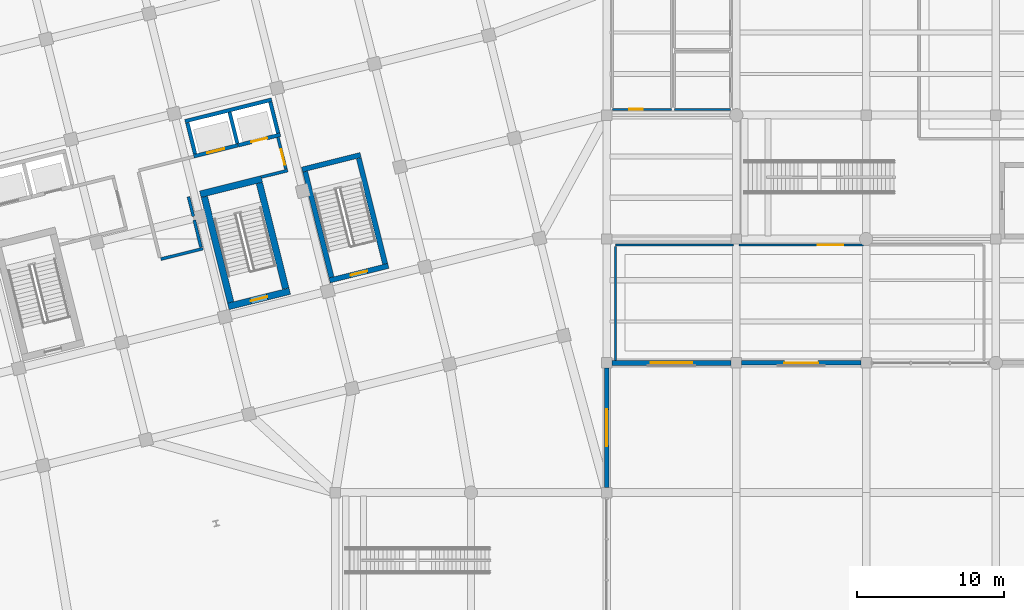
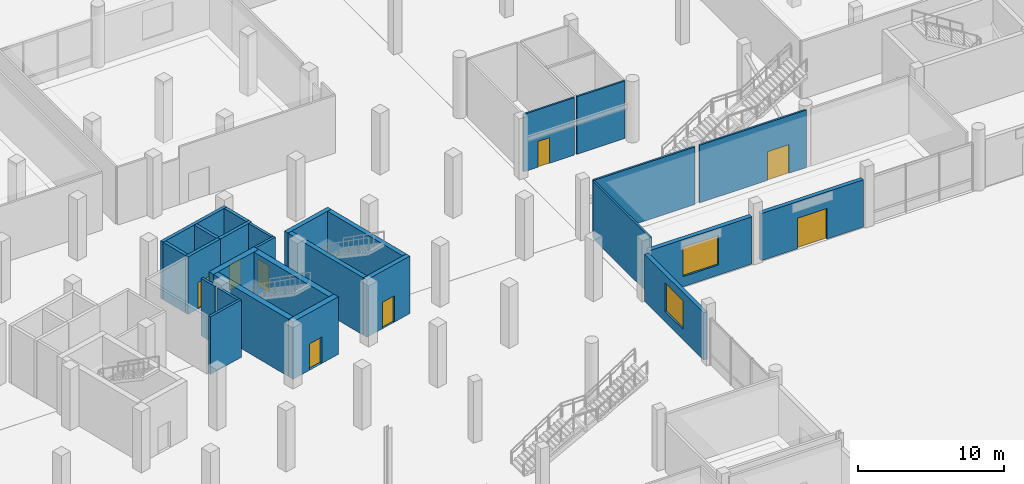
# One storey, part 60 of 73: 27 walls, 8 doors, 2 windows, 10 openings.
"""IFC4 building model written with IfcOpenShell, lengths in metres."""

import ifcopenshell
import ifcopenshell.guid

model = None  # the IFC model being written
_history = None  # IfcOwnerHistory: only IFC2X3 demands one
_inside = {}  # id of a spatial element -> (the spatial element, [elements in it])
_under = {}  # id of a project, library or spatial element -> (it, [spatial elements below it])
_declared = {}  # id of a project -> (the project, [libraries it declares])
_typed = {}  # id of a type object -> (the type object, [elements of that type])
_made_of = {}  # id of a material, layer set ... -> (it, [elements and type objects made of it])


def new_model(schema):
    """Start an empty IFC model of exactly this schema.

    Asked for "IFC4X3", IfcOpenShell would pick the latest addendum, in which some entities
    have other attributes; the version numbers below select the first issue.
    IFC2X3 requires an IfcOwnerHistory on every rooted entity: one is made here for all.
    """
    global model, _history
    if schema == "IFC4X3":
        model = ifcopenshell.file(schema_version=(4, 3, 0, 0))
    else:
        model = ifcopenshell.file(schema=schema)
    _inside.clear()
    _under.clear()
    _declared.clear()
    _typed.clear()
    _made_of.clear()
    _history = None
    if model.schema == "IFC2X3":
        org = make("IfcOrganization", Name="unknown")
        user = make(
            "IfcPersonAndOrganization",
            ThePerson=make("IfcPerson", FamilyName="unknown"),
            TheOrganization=org,
        )
        app = make(
            "IfcApplication",
            ApplicationDeveloper=org,
            Version="unknown",
            ApplicationFullName="unknown",
            ApplicationIdentifier="unknown",
        )
        _history = make(
            "IfcOwnerHistory",
            OwningUser=user,
            OwningApplication=app,
            ChangeAction="ADDED",
            CreationDate=0,
        )
    return model


def make(cls, **values):
    """One entity of the class cls with the attributes given. An attribute that is None is left unset."""
    return model.create_entity(
        cls, **{name: value for name, value in values.items() if value is not None}
    )


def rooted(cls, **values):
    """An entity with a GlobalId (a new one), such as an element, a storey or a relation."""
    return make(cls, GlobalId=ifcopenshell.guid.new(), OwnerHistory=_history, **values)


def si_unit(unit_type, name, prefix=None):
    """IfcSIUnit, for example si_unit("LENGTHUNIT", "METRE", prefix="MILLI")."""
    return make("IfcSIUnit", UnitType=unit_type, Prefix=prefix, Name=name)


def assignment(units):
    """IfcUnitAssignment: the units of a project."""
    return None if units is None else make("IfcUnitAssignment", Units=units)


def point(xyz):
    """IfcCartesianPoint."""
    return None if xyz is None else make("IfcCartesianPoint", Coordinates=xyz)


def direction(xyz):
    """IfcDirection."""
    return None if xyz is None else make("IfcDirection", DirectionRatios=xyz)


def frame(location, z_axis=None, x_axis=None):
    """IfcAxis2Placement3D, a coordinate frame: its origin and axes. An axis left out is left unset."""
    return make(
        "IfcAxis2Placement3D",
        Location=point(location),
        Axis=direction(z_axis),
        RefDirection=direction(x_axis),
    )


def frame_2d(location, x_axis=None):
    """IfcAxis2Placement2D, a coordinate frame in the plane: its origin and x axis."""
    return make(
        "IfcAxis2Placement2D", Location=point(location), RefDirection=direction(x_axis)
    )


def origin():
    """The frame at (0, 0, 0) with its axes left unset."""
    return frame((0.0, 0.0, 0.0))


def place(relative_to, where):
    """IfcLocalPlacement: puts the frame where relative to a parent placement (None: the world)."""
    return make(
        "IfcLocalPlacement", PlacementRelTo=relative_to, RelativePlacement=where
    )


def context(
    kind, dimensions, precision=None, world=None, true_north=None, identifier=None
):
    """IfcGeometricRepresentationContext, for example the 3D "Model" context."""
    return make(
        "IfcGeometricRepresentationContext",
        ContextIdentifier=identifier,
        ContextType=kind,
        CoordinateSpaceDimension=dimensions,
        Precision=precision,
        WorldCoordinateSystem=world,
        TrueNorth=true_north,
    )


def subcontext(parent, identifier, kind, view, scale=None):
    """IfcGeometricRepresentationSubContext, for example "Body" below "Model"."""
    return make(
        "IfcGeometricRepresentationSubContext",
        ContextIdentifier=identifier,
        ContextType=kind,
        ParentContext=parent,
        TargetScale=scale,
        TargetView=view,
    )


def project(units=None, contexts=None):
    """IfcProject with its units and contexts."""
    return rooted(
        "IfcProject",
        Name="project",
        RepresentationContexts=contexts,
        UnitsInContext=assignment(units),
    )


def spatial(cls, under=None, at=None, **own):
    """A site, building, storey or space (cls), placed at a placement, below another one or the project."""
    s = rooted(cls, ObjectPlacement=at, **own)
    if under is not None:
        _under.setdefault(under.id(), (under, []))[1].append(s)
    return s


def profile(cls, at=None, kind="AREA", **sizes):
    """A parametric profile (cls). Its sizes go by their IFC names, for example OverallWidth=200.0."""
    return make(cls, ProfileType=kind, Position=at, **sizes)


def rectangle(**sizes):
    """IfcRectangleProfileDef."""
    return profile("IfcRectangleProfileDef", **sizes)


def extrude(swept, where, along, depth):
    """IfcExtrudedAreaSolid: the profile swept, set in the frame where, extruded along a direction by depth."""
    return make(
        "IfcExtrudedAreaSolid",
        SweptArea=swept,
        Position=where,
        ExtrudedDirection=direction(along),
        Depth=depth,
    )


def shape(context_of_items, identifier, shape_type, items):
    """IfcShapeRepresentation: the items that make up one representation, for example the "Body"."""
    return make(
        "IfcShapeRepresentation",
        ContextOfItems=context_of_items,
        RepresentationIdentifier=identifier,
        RepresentationType=shape_type,
        Items=items,
    )


def material(Name=None, Category=None):
    """IfcMaterial."""
    return make("IfcMaterial", Name=Name, Category=Category)


def layer(
    of_material, thickness, ventilated=None, Name=None, Category=None, Priority=None
):
    """IfcMaterialLayer: one layer of a wall or slab, of a material (None: an air gap)."""
    return make(
        "IfcMaterialLayer",
        Material=of_material,
        LayerThickness=thickness,
        IsVentilated=ventilated,
        Name=Name,
        Category=Category,
        Priority=Priority,
    )


def layer_set(layers, Name=None):
    """IfcMaterialLayerSet."""
    return make("IfcMaterialLayerSet", MaterialLayers=layers, LayerSetName=Name)


def made_of(thing, what):
    """Note that an element or type object is made of a material, layer set ...; save() writes the relation."""
    if what is not None:
        _made_of.setdefault(what.id(), (what, []))[1].append(thing)
    return thing


def type_object(cls, material=None, **own):
    """A type object (cls), such as IfcWallType, which elements share."""
    return made_of(rooted(cls, **own), material)


def element(
    cls,
    number,
    at=None,
    inside=None,
    cuts=None,
    type_object=None,
    material=None,
    context=None,
    identifier="Body",
    shape_type=None,
    held_by="IfcProductDefinitionShape",
    body=None,
    shapes=None,
    **own,
):
    """One element of the class cls, such as IfcWall. Its Tag is "e" and its number.

    at: its placement. inside: the storey or other place that contains it. cuts: it is an
    opening in that element (IfcRelVoidsElement). A single representation is given by context,
    identifier, shape_type and body (its items); several are given by shapes. held_by: the class
    of the entity that holds the representations. save() writes the other relations.
    """
    e = rooted(cls, Tag="e%d" % number, ObjectPlacement=at, **own)
    if body is not None:
        shapes = [shape(context, identifier, shape_type, body)]
    if shapes is not None:
        e.Representation = make(held_by, Representations=shapes)
    if inside is not None:
        _inside.setdefault(inside.id(), (inside, []))[1].append(e)
    if cuts is not None:
        rooted(
            "IfcRelVoidsElement", RelatingBuildingElement=cuts, RelatedOpeningElement=e
        )
    if type_object is not None:
        _typed.setdefault(type_object.id(), (type_object, []))[1].append(e)
    return made_of(e, material)


def fill(opening, filler):
    """IfcRelFillsElement: the door or window that sits in an opening."""
    return rooted(
        "IfcRelFillsElement",
        RelatingOpeningElement=opening,
        RelatedBuildingElement=filler,
    )


def aggregate(whole, parts):
    """IfcRelAggregates: a whole, such as a stair, and the parts it consists of."""
    return rooted("IfcRelAggregates", RelatingObject=whole, RelatedObjects=parts)


def save(model, path):
    """Write the relations noted so far, then the file.

    IfcRelAggregates (storeys below a building ...), IfcRelContainedInSpatialStructure (elements
    in a storey), IfcRelDefinesByType, IfcRelAssociatesMaterial and IfcRelDeclares: one each for
    every whole, place, type object, material and project.
    """
    for whole, parts in _under.values():
        aggregate(whole, parts)
    for where, things in _inside.values():
        rooted(
            "IfcRelContainedInSpatialStructure",
            RelatedElements=things,
            RelatingStructure=where,
        )
    for kind, things in _typed.values():
        rooted("IfcRelDefinesByType", RelatedObjects=things, RelatingType=kind)
    for what, things in _made_of.values():
        rooted("IfcRelAssociatesMaterial", RelatedObjects=things, RelatingMaterial=what)
    for by, libraries in _declared.values():
        rooted("IfcRelDeclares", RelatingContext=by, RelatedDefinitions=libraries)
    model.write(path)


model = new_model("IFC4")

# Units and contexts
model_context = context("Model", 3, precision=1e-05, world=origin(), true_north=direction((0.0, 1.0)))
body_context = subcontext(model_context, "Body", "Model", "MODEL_VIEW")
ifc_project = project(units=[si_unit("LENGTHUNIT", "METRE"), si_unit("AREAUNIT", "SQUARE_METRE"), si_unit("VOLUMEUNIT", "CUBIC_METRE"), si_unit("PLANEANGLEUNIT", "RADIAN"), si_unit("MASSUNIT", "GRAM", prefix="KILO")], contexts=[model_context])

# Site, building, storey
site_placement = place(None, origin())
site = spatial("IfcSite", under=ifc_project, at=site_placement, CompositionType="ELEMENT")
building_placement = place(site_placement, origin())
building = spatial("IfcBuilding", under=site, at=building_placement, Name="Meriwether Solvik Hall", CompositionType="ELEMENT")
storey_placement = place(building_placement, origin())
storey = spatial("IfcBuildingStorey", under=building, at=storey_placement, Name="L00", CompositionType="ELEMENT", Elevation=0.0)

# Wall, opening, door
ifc_material_1 = material(Name="Concrete C40/50 Precast", Category="concrete")
ifc_layer_1 = layer(ifc_material_1, 0.31494140625)
ifc_layer_set_1 = layer_set([ifc_layer_1], Name="Concrete C40/50 Precast")
wall_type_1 = type_object("IfcWallType", Name="WALL-EXT-315", PredefinedType="SOLIDWALL", material=ifc_layer_set_1)
wall_1_placement = place(storey_placement, frame((131.43798828125, 50.0, 0.0), z_axis=(0.0, 0.0, 1.0), x_axis=(-1.0, 0.0, 0.0)))
wall_1 = element("IfcWall", 1, at=wall_1_placement, inside=storey, type_object=wall_type_1, Name="L00 S Wing Facade Wall XF_14_13", PredefinedType="SOLIDWALL", context=body_context, shape_type="SweptSolid", body=[
    extrude(rectangle(XDim=8.075927734375, YDim=0.31494140625, at=frame_2d((4.0380859375, 0.0))), origin(), (0.0, 0.0, 1.0), 3.93994140625),
])
opening_1_placement = place(wall_1_placement, frame((2.887939453125, 0.0, 0.0)))
opening_1 = element("IfcOpeningElement", 2, at=opening_1_placement, cuts=wall_1, Name="Opening D-154", PredefinedType="OPENING", context=body_context, shape_type="SweptSolid", body=[
    extrude(rectangle(XDim=2.300048828125, YDim=2.550048828125, at=frame_2d((1.14990234375, 1.27490234375))), frame((0.0, 0.16943359375, 0.0), z_axis=(0.0, -1.0, 0.0), x_axis=(1.0, 0.0, 0.0)), (0.0, 0.0, 1.0), 0.3388671875),
])
ifc_material_2 = material(Name="Thermally Broken Anodised Aluminium and Laminated Glass", Category="aluminium")
door_type_1 = type_object("IfcDoorType", Name="DR-EXT-EXIT-2300", OperationType="DOUBLE_DOOR_SINGLE_SWING", PredefinedType="DOOR", material=ifc_material_2)
door_1_placement = place(opening_1_placement, origin())
door_1 = element("IfcDoor", 3, at=door_1_placement, inside=storey, type_object=door_type_1, Name="Southeast Forecourt Library Wing Entrance", OperationType="DOUBLE_DOOR_SINGLE_SWING", OverallHeight=2.550048828125, OverallWidth=2.300048828125, PredefinedType="DOOR", context=body_context, shape_type="SweptSolid", body=[
    extrude(rectangle(XDim=2.300048828125, YDim=2.550048828125, at=frame_2d((1.14990234375, 1.27490234375))), frame((0.0, 0.02490234375, 0.0), z_axis=(0.0, -1.0, 0.0), x_axis=(1.0, 0.0, 0.0)), (0.0, 0.0, 1.0), 0.050048828125),
])
fill(opening_1, door_1)

# Wall, opening, window
wall_2_placement = place(storey_placement, frame((114.199951171875, 49.637939453125, 0.0), z_axis=(0.0, 0.0, 1.0), x_axis=(0.0, -1.0, 0.0)))
wall_2 = element("IfcWall", 4, at=wall_2_placement, inside=storey, type_object=wall_type_1, Name="L00 E Wing Facade Wall Y13_5_63", PredefinedType="SOLIDWALL", context=body_context, shape_type="SweptSolid", body=[
    extrude(rectangle(XDim=8.075927734375, YDim=0.31494140625, at=frame_2d((4.0380859375, 0.0))), origin(), (0.0, 0.0, 1.0), 3.93994140625),
])
opening_2_placement = place(wall_2_placement, frame((2.7880859375, 0.0, 0.85009765625)))
opening_2 = element("IfcOpeningElement", 5, at=opening_2_placement, cuts=wall_2, Name="Opening WN-144", PredefinedType="OPENING", context=body_context, shape_type="SweptSolid", body=[
    extrude(rectangle(XDim=2.5, YDim=2.39990234375, at=frame_2d((1.25, 1.199951171875))), frame((0.0, 0.16943359375, 0.0), z_axis=(0.0, -1.0, 0.0), x_axis=(1.0, 0.0, 0.0)), (0.0, 0.0, 1.0), 0.3388671875),
])
ifc_material_3 = material(Name="Thermally Broken Anodised Aluminium and Triple Low-E Glass", Category="aluminium")
window_type_1 = type_object("IfcWindowType", Name="WIN-POD-EAST-250X240", PartitioningType="SINGLE_PANEL", PredefinedType="WINDOW", material=ifc_material_3)
window_1_placement = place(opening_2_placement, origin())
window_1 = element("IfcWindow", 6, at=window_1_placement, inside=storey, type_object=window_type_1, Name="L00 E Window Y13_5_63", OverallHeight=2.39990234375, OverallWidth=2.5, PartitioningType="SINGLE_PANEL", PredefinedType="WINDOW", context=body_context, shape_type="SweptSolid", body=[
    extrude(rectangle(XDim=2.5, YDim=2.39990234375, at=frame_2d((1.25, 1.199951171875))), frame((0.0, 0.030029296875, 0.0), z_axis=(0.0, -1.0, 0.0), x_axis=(1.0, 0.0, 0.0)), (0.0, 0.0, 1.0), 0.06005859375),
])
fill(opening_2, window_1)

ifc_material_4 = material(Name="Concrete C40/50 Precast", Category="concrete")
ifc_layer_2 = layer(ifc_material_4, 0.340087890625)
ifc_layer_set_2 = layer_set([ifc_layer_2], Name="Concrete C40/50 Precast")
wall_type_2 = type_object("IfcWallType", Name="WALL-EXT-340", PredefinedType="SOLIDWALL", material=ifc_layer_set_2)
wall_3_placement = place(storey_placement, frame((122.637939453125, 50.0, 0.0), z_axis=(0.0, 0.0, 1.0), x_axis=(-1.0, 0.0, 0.0)))
wall_3 = element("IfcWall", 7, at=wall_3_placement, inside=storey, type_object=wall_type_2, Name="L00 S Wing Facade Wall XF_13_12", PredefinedType="SOLIDWALL", context=body_context, shape_type="SweptSolid", body=[
    extrude(rectangle(XDim=8.075927734375, YDim=0.340087890625, at=frame_2d((4.0380859375, 0.0))), origin(), (0.0, 0.0, 1.0), 3.93994140625),
])
opening_3_placement = place(wall_3_placement, frame((2.637939453125, 0.0, 0.85009765625)))
opening_3 = element("IfcOpeningElement", 8, at=opening_3_placement, cuts=wall_3, Name="Opening WN-165", PredefinedType="OPENING", context=body_context, shape_type="SweptSolid", body=[
    extrude(rectangle(XDim=2.800048828125, YDim=2.449951171875, at=frame_2d((1.39990234375, 1.22509765625))), frame((0.0, 0.18212890625, 0.0), z_axis=(0.0, -1.0, 0.0), x_axis=(1.0, 0.0, 0.0)), (0.0, 0.0, 1.0), 0.364013671875),
])
ifc_material_5 = material(Name="Thermally Broken Anodised Aluminium and Triple Low-E Glass", Category="aluminium")
window_type_2 = type_object("IfcWindowType", Name="WIN-POD-SOUTH-280X245", PartitioningType="SINGLE_PANEL", PredefinedType="WINDOW", material=ifc_material_5)
window_2_placement = place(opening_3_placement, origin())
window_2 = element("IfcWindow", 9, at=window_2_placement, inside=storey, type_object=window_type_2, Name="L00 S Window XF_13_12", OverallHeight=2.449951171875, OverallWidth=2.800048828125, PartitioningType="SINGLE_PANEL", PredefinedType="WINDOW", context=body_context, shape_type="SweptSolid", body=[
    extrude(rectangle(XDim=2.800048828125, YDim=2.449951171875, at=frame_2d((1.39990234375, 1.22509765625))), frame((0.0, 0.030029296875, 0.0), z_axis=(0.0, -1.0, 0.0), x_axis=(1.0, 0.0, 0.0)), (0.0, 0.0, 1.0), 0.06005859375),
])
fill(opening_3, window_2)

# Walls
ifc_material_6 = material(Name="Fire-Rated Type X Gypsum Board", Category="gypsum")
ifc_layer_3 = layer(ifc_material_6, 0.199951171875)
ifc_layer_set_3 = layer_set([ifc_layer_3], Name="Fire-Rated Type X Gypsum Board")
wall_type_3 = type_object("IfcWallType", Name="WALL-FIRE-200", PredefinedType="STANDARD", material=ifc_layer_set_3)
wall_4_placement = place(storey_placement, frame((83.972412109375, 57.03955078125, 0.0), z_axis=(0.0, 0.0, 1.0), x_axis=(0.970308790931, 0.241869490102, 0.0)))
element("IfcWall", 10, at=wall_4_placement, inside=storey, type_object=wall_type_3, Name="L00 Interior Partition lb2_s_w", PredefinedType="STANDARD", context=body_context, shape_type="SweptSolid", body=[
    extrude(rectangle(XDim=2.932373046875, YDim=0.199951171875, at=frame_2d((1.46630859375, 0.0))), origin(), (0.0, 0.0, 1.0), 4.800048828125),
])
wall_5_placement = place(storey_placement, frame((86.691650390625, 57.841064453125, 0.0), z_axis=(0.0, 0.0, 1.0), x_axis=(-0.241992731984, 0.970278062035, 0.0)))
element("IfcWall", 11, at=wall_5_placement, inside=storey, type_object=wall_type_3, Name="L00 Interior Partition lb2_e_low", PredefinedType="STANDARD", context=body_context, shape_type="SweptSolid", body=[
    extrude(rectangle(XDim=1.90478515625, YDim=0.199951171875, at=frame_2d((0.952392578125, 0.0))), origin(), (0.0, 0.0, 1.0), 4.800048828125),
])
wall_6_placement = place(storey_placement, frame((86.169921875, 59.932861328125, 0.0), z_axis=(0.0, 0.0, 1.0), x_axis=(-0.241824833036, 0.970319921535, 0.0)))
element("IfcWall", 12, at=wall_6_placement, inside=storey, type_object=wall_type_3, Name="L00 Interior Partition lb2_e_low_s2", PredefinedType="STANDARD", context=body_context, shape_type="SweptSolid", body=[
    extrude(rectangle(XDim=1.3740234375, YDim=0.199951171875, at=frame_2d((0.68701171875, 0.0))), origin(), (0.0, 0.0, 1.0), 4.800048828125),
])
wall_7_placement = place(storey_placement, frame((90.791015625, 62.604248046875, 0.0), z_axis=(0.0, 0.0, 1.0), x_axis=(0.970306180373, 0.241879962645, 0.0)))
element("IfcWall", 13, at=wall_7_placement, inside=storey, type_object=wall_type_3, Name="L00 Interior Partition lb2_s", PredefinedType="STANDARD", context=body_context, shape_type="SweptSolid", body=[
    extrude(rectangle(XDim=1.840087890625, YDim=0.199951171875, at=frame_2d((0.919921875, 0.0))), origin(), (0.0, 0.0, 1.0), 4.800048828125),
])

# Wall, opening, door
wall_8_placement = place(storey_placement, frame((91.913330078125, 65.295654296875, 0.0), z_axis=(0.0, 0.0, 1.0), x_axis=(0.241836892041, -0.970316916089, 0.0)))
wall_8 = element("IfcWall", 14, at=wall_8_placement, inside=storey, type_object=wall_type_3, Name="L00 Interior Partition lb2_e", PredefinedType="STANDARD", context=body_context, shape_type="SweptSolid", body=[
    extrude(rectangle(XDim=2.219970703125, YDim=0.199951171875, at=frame_2d((1.10986328125, 0.0))), origin(), (0.0, 0.0, 1.0), 4.800048828125),
])
opening_4_placement = place(wall_8_placement, frame((0.820068359375, 0.0, 0.0)))
opening_4 = element("IfcOpeningElement", 15, at=opening_4_placement, cuts=wall_8, Name="Opening D-168", PredefinedType="OPENING", context=body_context, shape_type="SweptSolid", body=[
    extrude(rectangle(XDim=1.10009765625, YDim=2.199951171875, at=frame_2d((0.550048828125, 1.10009765625))), frame((0.0, 0.11181640625, 0.0), z_axis=(0.0, -1.0, 0.0), x_axis=(1.0, 0.0, 0.0)), (0.0, 0.0, 1.0), 0.223876953125),
])
ifc_material_7 = material(Name="Steel A36 Galvanised", Category="steel")
door_type_2 = type_object("IfcDoorType", Name="DR-FD60-1100L", OperationType="SINGLE_SWING_LEFT", PredefinedType="DOOR", material=ifc_material_7)
door_2_placement = place(opening_4_placement, origin())
door_2 = element("IfcDoor", 16, at=door_2_placement, inside=storey, type_object=door_type_2, Name="East FSAE Lift Lobby Door (L00)", OperationType="SINGLE_SWING_LEFT", OverallHeight=2.199951171875, OverallWidth=1.10009765625, PredefinedType="DOOR", context=body_context, shape_type="SweptSolid", body=[
    extrude(rectangle(XDim=1.10009765625, YDim=2.199951171875, at=frame_2d((0.550048828125, 1.10009765625))), frame((0.0, 0.02490234375, 0.0), z_axis=(0.0, -1.0, 0.0), x_axis=(1.0, 0.0, 0.0)), (0.0, 0.0, 1.0), 0.050048828125),
])
fill(opening_4, door_2)

# Walls
ifc_material_8 = material(Name="Concrete C40/50", Category="concrete")
ifc_layer_4 = layer(ifc_material_8, 0.25)
ifc_layer_set_4 = layer_set([ifc_layer_4], Name="Concrete C40/50")
wall_type_4 = type_object("IfcWallType", Name="WALL-HOIST-250", PredefinedType="SHEAR", material=ifc_layer_set_4)
wall_9_placement = place(storey_placement, frame((91.48193359375, 67.852294921875, 0.0), z_axis=(0.0, 0.0, 1.0), x_axis=(-0.970296596103, -0.241918406889, 0.0)))
element("IfcWall", 17, at=wall_9_placement, inside=storey, type_object=wall_type_4, Name="Hoistway BANK2 North Wall (L00)", PredefinedType="SHEAR", context=body_context, shape_type="SweptSolid", body=[
    extrude(rectangle(XDim=6.050048828125, YDim=0.25, at=frame_2d((3.02490234375, 0.0))), origin(), (0.0, 0.0, 1.0), 4.800048828125),
])
for number, where, z_axis, x_axis, name in (
    (18, (85.765625, 66.287841796875, 0.0), (0.0, 0.0, 1.0), (0.241903146974, -0.970300400641, 0.0), "Hoistway BANK2 West Wall (L00)"),
    (19, (91.920654296875, 65.575927734375, 0.0), (0.0, 0.0, 1.0), (-0.241903146974, 0.970300400641, 0.0), "Hoistway BANK2 East Wall (L00)"),
    (20, (89.1552734375, 64.886474609375, 0.0), (0.0, 0.0, 1.0), (-0.241903146974, 0.970300400641, 0.0), "Hoistway BANK2 Divider Pier (L00)"),
):
    element("IfcWall", number, at=place(storey_placement, frame(where, z_axis=z_axis, x_axis=x_axis)), inside=storey, type_object=wall_type_4, Name=name, PredefinedType="SHEAR", context=body_context, shape_type="SweptSolid", body=[
        extrude(rectangle(XDim=2.179931640625, YDim=0.25, at=frame_2d((1.08984375, 0.0))), origin(), (0.0, 0.0, 1.0), 4.800048828125),
    ])

# Wall, opening, door
wall_10_placement = place(storey_placement, frame((86.204345703125, 64.011474609375, 0.0), z_axis=(0.0, 0.0, 1.0), x_axis=(0.970296930481, 0.241917065747, 0.0)))
wall_10 = element("IfcWall", 21, at=wall_10_placement, inside=storey, type_object=wall_type_4, Name="Lift LF-02 Landing Wall (L00)", PredefinedType="SHEAR", context=body_context, shape_type="SweptSolid", body=[
    extrude(rectangle(XDim=3.06494140625, YDim=0.25, at=frame_2d((1.532470703125, 0.0))), origin(), (0.0, 0.0, 1.0), 4.800048828125),
])
opening_5_placement = place(wall_10_placement, frame((0.9326171875, 0.0, 0.0)))
opening_5 = element("IfcOpeningElement", 22, at=opening_5_placement, cuts=wall_10, Name="Opening LD-02", PredefinedType="OPENING", context=body_context, shape_type="SweptSolid", body=[
    extrude(rectangle(XDim=1.199951171875, YDim=2.199951171875, at=frame_2d((0.60009765625, 1.10009765625))), frame((0.0, 0.136962890625, 0.0), z_axis=(0.0, -1.0, 0.0), x_axis=(1.0, 0.0, 0.0)), (0.0, 0.0, 1.0), 0.27392578125),
])
ifc_material_9 = material(Name="Stainless Steel AISI 316", Category="steel")
door_type_3 = type_object("IfcDoorType", Name="DR-LIFT-FSAE", OperationType="DOUBLE_DOOR_SLIDING", PredefinedType="DOOR", material=ifc_material_9)
door_3_placement = place(opening_5_placement, origin())
door_3 = element("IfcDoor", 23, at=door_3_placement, inside=storey, type_object=door_type_3, Name="Lift Landing Door LF-02 (L00)", OperationType="DOUBLE_DOOR_SLIDING", OverallHeight=2.199951171875, OverallWidth=1.199951171875, PredefinedType="DOOR", context=body_context, shape_type="SweptSolid", body=[
    extrude(rectangle(XDim=1.199951171875, YDim=2.199951171875, at=frame_2d((0.60009765625, 1.10009765625))), frame((0.0, 0.02490234375, 0.0), z_axis=(0.0, -1.0, 0.0), x_axis=(1.0, 0.0, 0.0)), (0.0, 0.0, 1.0), 0.050048828125),
])
fill(opening_5, door_3)

wall_11_placement = place(storey_placement, frame((89.19775390625, 64.7578125, 0.0), z_axis=(0.0, 0.0, 1.0), x_axis=(0.970297295425, 0.241915601999, 0.0)))
wall_11 = element("IfcWall", 24, at=wall_11_placement, inside=storey, type_object=wall_type_4, Name="Lift LP-02 Landing Wall (L00)", PredefinedType="SHEAR", context=body_context, shape_type="SweptSolid", body=[
    extrude(rectangle(XDim=2.965087890625, YDim=0.25, at=frame_2d((1.482421875, 0.0))), origin(), (0.0, 0.0, 1.0), 4.800048828125),
])
opening_6_placement = place(wall_11_placement, frame((0.9326171875, 0.0, 0.0)))
opening_6 = element("IfcOpeningElement", 25, at=opening_6_placement, cuts=wall_11, Name="Opening LD-04", PredefinedType="OPENING", context=body_context, shape_type="SweptSolid", body=[
    extrude(rectangle(XDim=1.10009765625, YDim=2.14990234375, at=frame_2d((0.550048828125, 1.074951171875))), frame((0.0, 0.136962890625, 0.0), z_axis=(0.0, -1.0, 0.0), x_axis=(1.0, 0.0, 0.0)), (0.0, 0.0, 1.0), 0.27392578125),
])
ifc_material_10 = material(Name="Stainless Steel AISI 316", Category="steel")
door_type_4 = type_object("IfcDoorType", Name="DR-LIFT-PASS", OperationType="DOUBLE_DOOR_SLIDING", PredefinedType="DOOR", material=ifc_material_10)
door_4_placement = place(opening_6_placement, origin())
door_4 = element("IfcDoor", 26, at=door_4_placement, inside=storey, type_object=door_type_4, Name="Lift Landing Door LP-02 (L00)", OperationType="DOUBLE_DOOR_SLIDING", OverallHeight=2.14990234375, OverallWidth=1.10009765625, PredefinedType="DOOR", context=body_context, shape_type="SweptSolid", body=[
    extrude(rectangle(XDim=1.10009765625, YDim=2.14990234375, at=frame_2d((0.550048828125, 1.074951171875))), frame((0.0, 0.02490234375, 0.0), z_axis=(0.0, -1.0, 0.0), x_axis=(1.0, 0.0, 0.0)), (0.0, 0.0, 1.0), 0.050048828125),
])
fill(opening_6, door_4)

ifc_material_11 = material(Name="Gypsum Board Partition", Category="gypsum")
ifc_layer_5 = layer(ifc_material_11, 0.14990234375)
ifc_layer_set_5 = layer_set([ifc_layer_5], Name="Gypsum Board Partition")
wall_type_5 = type_object("IfcWallType", Name="WALL-PART-150", PredefinedType="PARTITIONING", material=ifc_layer_set_5)
wall_12_placement = place(storey_placement, frame((131.619384765625, 58.0, 0.0), z_axis=(0.0, 0.0, 1.0), x_axis=(-1.0, 0.0, 0.0)))
wall_12 = element("IfcWall", 27, at=wall_12_placement, inside=storey, type_object=wall_type_5, Name="L00 Interior Partition book_circ_n_s2", PredefinedType="PARTITIONING", context=body_context, shape_type="SweptSolid", body=[
    extrude(rectangle(XDim=8.438720703125, YDim=0.14990234375, at=frame_2d((4.21923828125, 0.0))), origin(), (0.0, 0.0, 1.0), 4.800048828125),
])
opening_7_placement = place(wall_12_placement, frame((1.38134765625, 0.0, 0.0)))
opening_7 = element("IfcOpeningElement", 28, at=opening_7_placement, cuts=wall_12, Name="Opening D-114", PredefinedType="OPENING", context=body_context, shape_type="SweptSolid", body=[
    extrude(rectangle(XDim=1.699951171875, YDim=2.39990234375, at=frame_2d((0.85009765625, 1.199951171875))), frame((0.0, 0.0869140625, 0.0), z_axis=(0.0, -1.0, 0.0), x_axis=(1.0, 0.0, 0.0)), (0.0, 0.0, 1.0), 0.173828125),
])
ifc_material_12 = material(Name="Laminated Vision Glass and Solid White Oak Timber", Category="wood")
door_type_5 = type_object("IfcDoorType", Name="DR-GAL-1700", OperationType="DOUBLE_DOOR_SINGLE_SWING", PredefinedType="DOOR", material=ifc_material_12)
door_5_placement = place(opening_7_placement, origin())
door_5 = element("IfcDoor", 29, at=door_5_placement, inside=storey, type_object=door_type_5, Name="Book Circulation Commons Door", OperationType="DOUBLE_DOOR_SINGLE_SWING", OverallHeight=2.39990234375, OverallWidth=1.699951171875, PredefinedType="DOOR", context=body_context, shape_type="SweptSolid", body=[
    extrude(rectangle(XDim=1.699951171875, YDim=2.39990234375, at=frame_2d((0.85009765625, 1.199951171875))), frame((0.0, 0.02490234375, 0.0), z_axis=(0.0, -1.0, 0.0), x_axis=(1.0, 0.0, 0.0)), (0.0, 0.0, 1.0), 0.050048828125),
])
fill(opening_7, door_5)

# Walls
wall_13_placement = place(storey_placement, frame((122.8193359375, 58.0, 0.0), z_axis=(0.0, 0.0, 1.0), x_axis=(-1.0, 0.0, 0.0)))
element("IfcWall", 30, at=wall_13_placement, inside=storey, type_object=wall_type_5, Name="L00 Interior Partition book_circ_n_s3", PredefinedType="PARTITIONING", context=body_context, shape_type="SweptSolid", body=[
    extrude(rectangle(XDim=8.019287109375, YDim=0.14990234375, at=frame_2d((4.009765625, 0.0))), origin(), (0.0, 0.0, 1.0), 4.800048828125),
])
wall_14_placement = place(storey_placement, frame((114.800048828125, 57.8798828125, 0.0), z_axis=(0.0, 0.0, 1.0), x_axis=(0.0, -1.0, 0.0)))
element("IfcWall", 31, at=wall_14_placement, inside=storey, type_object=wall_type_5, Name="L00 Interior Partition book_circ_w", PredefinedType="PARTITIONING", context=body_context, shape_type="SweptSolid", body=[
    extrude(rectangle(XDim=7.72998046875, YDim=0.14990234375, at=frame_2d((3.864990234375, 0.0))), origin(), (0.0, 0.0, 1.0), 4.800048828125),
])

# Wall, opening, door
ifc_material_13 = material(Name="Concrete C40/50", Category="concrete")
ifc_layer_6 = layer(ifc_material_13, 0.35009765625)
ifc_layer_set_6 = layer_set([ifc_layer_6], Name="Concrete C40/50")
wall_type_6 = type_object("IfcWallType", Name="WALL-RC-350", PredefinedType="SHEAR", material=ifc_layer_set_6)
wall_15_placement = place(storey_placement, frame((99.3935546875, 56.58154296875, 0.0), z_axis=(0.0, 0.0, 1.0), x_axis=(-0.970292928015, -0.241933118535, 0.0)))
wall_15 = element("IfcWall", 32, at=wall_15_placement, inside=storey, type_object=wall_type_6, Name="CORE-3 Shear Wall S (L00)", PredefinedType="SHEAR", context=body_context, shape_type="SweptSolid", body=[
    extrude(rectangle(XDim=4.10009765625, YDim=0.35009765625, at=frame_2d((2.050048828125, 0.0))), origin(), (0.0, 0.0, 1.0), 4.800048828125),
])
opening_8_placement = place(wall_15_placement, frame((1.47509765625, 0.0, 0.0)))
opening_8 = element("IfcOpeningElement", 33, at=opening_8_placement, cuts=wall_15, Name="Opening D-148", PredefinedType="OPENING", context=body_context, shape_type="SweptSolid", body=[
    extrude(rectangle(XDim=1.14990234375, YDim=2.199951171875, at=frame_2d((0.574951171875, 1.10009765625))), frame((0.0, 0.18701171875, 0.0), z_axis=(0.0, -1.0, 0.0), x_axis=(1.0, 0.0, 0.0)), (0.0, 0.0, 1.0), 0.3740234375),
])
ifc_material_14 = material(Name="Steel A36 Galvanised", Category="steel")
door_type_6 = type_object("IfcDoorType", Name="DR-FD90-1150R", OperationType="SINGLE_SWING_RIGHT", PredefinedType="DOOR", material=ifc_material_14)
door_6_placement = place(opening_8_placement, origin())
door_6 = element("IfcDoor", 34, at=door_6_placement, inside=storey, type_object=door_type_6, Name="Stair ST-03 Smokeproof Exit Door (L00)", OperationType="SINGLE_SWING_RIGHT", OverallHeight=2.199951171875, OverallWidth=1.14990234375, PredefinedType="DOOR", context=body_context, shape_type="SweptSolid", body=[
    extrude(rectangle(XDim=1.14990234375, YDim=2.199951171875, at=frame_2d((0.574951171875, 1.10009765625))), frame((0.0, 0.02490234375, 0.0), z_axis=(0.0, -1.0, 0.0), x_axis=(1.0, 0.0, 0.0)), (0.0, 0.0, 1.0), 0.050048828125),
])
fill(opening_8, door_6)

# Walls
wall_16_placement = place(storey_placement, frame((97.5185546875, 64.101318359375, 0.0), z_axis=(0.0, 0.0, 1.0), x_axis=(-0.970289442421, -0.241947097371, 0.0)))
element("IfcWall", 35, at=wall_16_placement, inside=storey, type_object=wall_type_6, Name="CORE-3 Shear Wall N (L00)", PredefinedType="SHEAR", context=body_context, shape_type="SweptSolid", body=[
    extrude(rectangle(XDim=4.099853515625, YDim=0.35009765625, at=frame_2d((2.0498046875, 0.0))), origin(), (0.0, 0.0, 1.0), 4.800048828125),
])
for number, where, z_axis, x_axis, name in (
    (36, (93.755126953125, 62.97216796875, 0.0), (0.0, 0.0, 1.0), (0.241897280066, -0.970301863286, 0.0), "CORE-3 Shear Wall W (L00)"),
    (37, (99.178955078125, 56.71875, 0.0), (0.0, 0.0, 1.0), (-0.241928426141, 0.970294098006, 0.0), "CORE-3 Shear Wall E (L00)"),
):
    element("IfcWall", number, at=place(storey_placement, frame(where, z_axis=z_axis, x_axis=x_axis)), inside=storey, type_object=wall_type_6, Name=name, PredefinedType="SHEAR", context=body_context, shape_type="SweptSolid", body=[
        extrude(rectangle(XDim=7.3798828125, YDim=0.35009765625, at=frame_2d((3.68994140625, 0.0))), origin(), (0.0, 0.0, 1.0), 4.800048828125),
    ])

# Wall, opening, door
ifc_material_15 = material(Name="Concrete C45/55", Category="concrete")
ifc_layer_7 = layer(ifc_material_15, 0.449951171875)
ifc_layer_set_7 = layer_set([ifc_layer_7], Name="Concrete C45/55")
wall_type_7 = type_object("IfcWallType", Name="WALL-RC-450", PredefinedType="SHEAR", material=ifc_layer_set_7)
wall_17_placement = place(storey_placement, frame((92.710693359375, 54.86376953125, 0.0), z_axis=(0.0, 0.0, 1.0), x_axis=(-0.970295933763, -0.241921063415, 0.0)))
wall_17 = element("IfcWall", 38, at=wall_17_placement, inside=storey, type_object=wall_type_7, Name="CORE-2 Shear Wall S (L00)", PredefinedType="SHEAR", context=body_context, shape_type="SweptSolid", body=[
    extrude(rectangle(XDim=4.300048828125, YDim=0.449951171875, at=frame_2d((2.14990234375, 0.0))), origin(), (0.0, 0.0, 1.0), 4.800048828125),
])
opening_9_placement = place(wall_17_placement, frame((1.574951171875, 0.0, 0.0)))
opening_9 = element("IfcOpeningElement", 39, at=opening_9_placement, cuts=wall_17, Name="Opening D-148", PredefinedType="OPENING", context=body_context, shape_type="SweptSolid", body=[
    extrude(rectangle(XDim=1.14990234375, YDim=2.199951171875, at=frame_2d((0.574951171875, 1.10009765625))), frame((0.0, 0.23681640625, 0.0), z_axis=(0.0, -1.0, 0.0), x_axis=(1.0, 0.0, 0.0)), (0.0, 0.0, 1.0), 0.473876953125),
])
door_7_placement = place(opening_9_placement, origin())
door_7 = element("IfcDoor", 40, at=door_7_placement, inside=storey, type_object=door_type_6, Name="Stair ST-02 Smokeproof Exit Door (L00)", OperationType="SINGLE_SWING_RIGHT", OverallHeight=2.199951171875, OverallWidth=1.14990234375, PredefinedType="DOOR", context=body_context, shape_type="SweptSolid", body=[
    extrude(rectangle(XDim=1.14990234375, YDim=2.199951171875, at=frame_2d((0.574951171875, 1.10009765625))), frame((0.0, 0.02490234375, 0.0), z_axis=(0.0, -1.0, 0.0), x_axis=(1.0, 0.0, 0.0)), (0.0, 0.0, 1.0), 0.050048828125),
])
fill(opening_9, door_7)

# Walls
wall_18_placement = place(storey_placement, frame((90.8115234375, 62.48046875, 0.0), z_axis=(0.0, 0.0, 1.0), x_axis=(-0.970309259708, -0.2418676095, 0.0)))
element("IfcWall", 41, at=wall_18_placement, inside=storey, type_object=wall_type_7, Name="CORE-2 Shear Wall N (L00)", PredefinedType="SHEAR", context=body_context, shape_type="SweptSolid", body=[
    extrude(rectangle(XDim=4.300048828125, YDim=0.449951171875, at=frame_2d((2.14990234375, 0.0))), origin(), (0.0, 0.0, 1.0), 4.800048828125),
])
for number, where, z_axis, x_axis, name in (
    (42, (86.91455078125, 61.266845703125, 0.0), (0.0, 0.0, 1.0), (0.241889515465, -0.970303798976, 0.0), "CORE-2 Shear Wall W (L00)"),
    (43, (92.435546875, 55.037353515625, 0.0), (0.0, 0.0, 1.0), (-0.241920660665, 0.970296034179, 0.0), "CORE-2 Shear Wall E (L00)"),
):
    element("IfcWall", number, at=place(storey_placement, frame(where, z_axis=z_axis, x_axis=x_axis)), inside=storey, type_object=wall_type_7, Name=name, PredefinedType="SHEAR", context=body_context, shape_type="SweptSolid", body=[
        extrude(rectangle(XDim=7.380126953125, YDim=0.449951171875, at=frame_2d((3.68994140625, 0.0))), origin(), (0.0, 0.0, 1.0), 4.800048828125),
    ])

# Wall, opening, door
ifc_material_16 = material(Name="Moisture-Resistant Gypsum Board", Category="gypsum")
ifc_layer_8 = layer(ifc_material_16, 0.139892578125)
ifc_layer_set_8 = layer_set([ifc_layer_8], Name="Moisture-Resistant Gypsum Board")
wall_type_8 = type_object("IfcWallType", Name="WALL-WET-140", PredefinedType="PLUMBINGWALL", material=ifc_layer_set_8)
wall_19_placement = place(storey_placement, frame((114.60009765625, 67.199951171875, 0.0), z_axis=(0.0, 0.0, 1.0), x_axis=(1.0, 0.0, 0.0)))
wall_19 = element("IfcWall", 44, at=wall_19_placement, inside=storey, type_object=wall_type_8, Name="L00 Interior Partition wc_m_l00_s", PredefinedType="PLUMBINGWALL", context=body_context, shape_type="SweptSolid", body=[
    extrude(rectangle(XDim=4.0, YDim=0.139892578125, at=frame_2d((2.0, 0.0))), origin(), (0.0, 0.0, 1.0), 4.800048828125),
])
opening_10_placement = place(wall_19_placement, frame((1.14990234375, 0.0, 0.0)))
opening_10 = element("IfcOpeningElement", 45, at=opening_10_placement, cuts=wall_19, Name="Opening D-174", PredefinedType="OPENING", context=body_context, shape_type="SweptSolid", body=[
    extrude(rectangle(XDim=0.89990234375, YDim=2.14990234375, at=frame_2d((0.449951171875, 1.074951171875))), frame((0.0, 0.08203125, 0.0), z_axis=(0.0, -1.0, 0.0), x_axis=(1.0, 0.0, 0.0)), (0.0, 0.0, 1.0), 0.163818359375),
])
ifc_material_17 = material(Name="Solid-Core Rift White Oak Timber", Category="wood")
door_type_7 = type_object("IfcDoorType", Name="DR-WC-900L", OperationType="SINGLE_SWING_LEFT", PredefinedType="DOOR", material=ifc_material_17)
door_8_placement = place(opening_10_placement, origin())
door_8 = element("IfcDoor", 46, at=door_8_placement, inside=storey, type_object=door_type_7, Name="Ground Public Male Restrooms Door", OperationType="SINGLE_SWING_LEFT", OverallHeight=2.14990234375, OverallWidth=0.89990234375, PredefinedType="DOOR", context=body_context, shape_type="SweptSolid", body=[
    extrude(rectangle(XDim=0.89990234375, YDim=2.14990234375, at=frame_2d((0.449951171875, 1.074951171875))), frame((0.0, 0.02490234375, 0.0), z_axis=(0.0, -1.0, 0.0), x_axis=(1.0, 0.0, 0.0)), (0.0, 0.0, 1.0), 0.050048828125),
])
fill(opening_10, door_8)

# Wall
wall_20_placement = place(storey_placement, frame((118.800048828125, 67.199951171875, 0.0), z_axis=(0.0, 0.0, 1.0), x_axis=(1.0, 0.0, 0.0)))
element("IfcWall", 47, at=wall_20_placement, inside=storey, type_object=wall_type_8, Name="L00 Interior Partition wc_f_l00_s", PredefinedType="PLUMBINGWALL", context=body_context, shape_type="SweptSolid", body=[
    extrude(rectangle(XDim=3.800048828125, YDim=0.139892578125, at=frame_2d((1.89990234375, 0.0))), origin(), (0.0, 0.0, 1.0), 4.800048828125),
])

save(model, "model.ifc")
